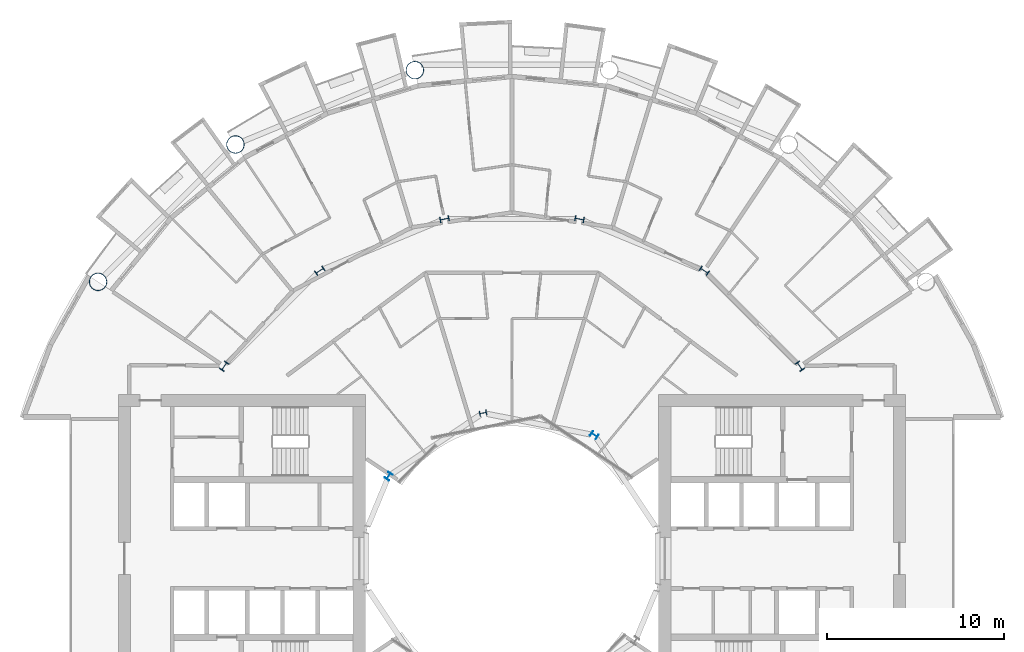
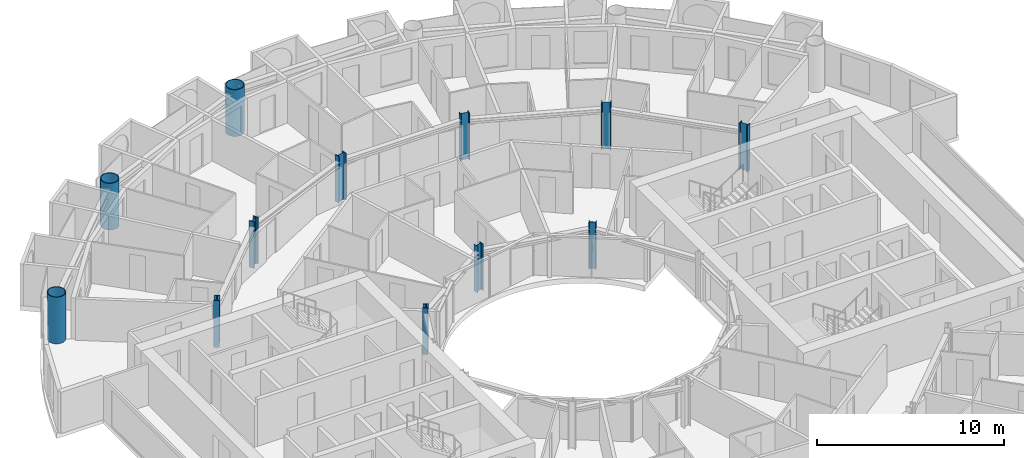
# One storey, part 3 of 26: 12 columns.
"""IFC4 building model written with IfcOpenShell, lengths in metres."""

from ifc_helpers import new_model, si_unit, direction, frame, origin, origin_2d, place, context, subcontext, project, spatial, hollow_circle, i_section, extrude, material, material_profile, profile_set, type_object, element, save


model = new_model("IFC4")

# Units and contexts
model_context = context("Model", 3, precision=1e-05, world=origin(), true_north=direction((0.0, 1.0)))
body_context = subcontext(model_context, "Body", "Model", "MODEL_VIEW")
ifc_project = project(units=[si_unit("LENGTHUNIT", "METRE"), si_unit("AREAUNIT", "SQUARE_METRE"), si_unit("VOLUMEUNIT", "CUBIC_METRE"), si_unit("PLANEANGLEUNIT", "RADIAN"), si_unit("MASSUNIT", "GRAM", prefix="KILO")], contexts=[model_context])

# Site, building, storey
site_placement = place(None, origin())
site = spatial("IfcSite", under=ifc_project, at=site_placement, CompositionType="ELEMENT")
building_placement = place(site_placement, origin())
building = spatial("IfcBuilding", under=site, at=building_placement, Name="Maasbend Ring Residences", CompositionType="ELEMENT")
storey_placement = place(building_placement, frame((0.0, 0.0, 78.85009765625)))
storey = spatial("IfcBuildingStorey", under=building, at=storey_placement, Name="L22", CompositionType="ELEMENT", Elevation=78.85009765625)

# Columns
ifc_material_1 = material(Name="Composite concrete-filled steel tube S460NH / C80/95", Category="concrete")
ifc_material_profile_1 = material_profile(ifc_material_1, hollow_circle(Radius=0.508056640625, WallThickness=0.0400390625, at=origin_2d()), Name="Composite tube column CHS 1016x40")
ifc_profile_set_1 = profile_set([ifc_material_profile_1], Name="Composite concrete-filled steel tube S460NH / C80/95")
column_type_1 = type_object("IfcColumnType", Name="Composite tube column CHS 1016x40", PredefinedType="COLUMN", material=ifc_profile_set_1)
for number, where, z_axis, x_axis, name in (
    (1, (-5.50146484375, 27.658203125, 0.0), (0.0, 0.0, 1.0), (1.0, 0.0, 0.0), "Outer column R5"),
    (2, (-15.6669921875, 23.447509765625, 0.0), (0.0, 0.0, 1.0), (1.0, 0.0, 0.0), "Outer column R6"),
    (3, (-23.447509765625, 15.6669921875, 0.0), (0.0, 0.0, 1.0), (1.0, 0.0, 0.0), "Outer column R7"),
):
    element("IfcColumn", number, at=place(storey_placement, frame(where, z_axis=z_axis, x_axis=x_axis)), inside=storey, type_object=column_type_1, Name=name, PredefinedType="COLUMN", context=body_context, shape_type="SweptSolid", body=[
        extrude(hollow_circle(Radius=0.508056640625, WallThickness=0.0400390625, at=origin_2d()), origin(), (0.0, 0.0, 1.0), 3.0498046875),
    ])
ifc_material_2 = material(Name="Steel S355J2", Category="steel")
ifc_material_profile_2 = material_profile(ifc_material_2, i_section(OverallWidth=0.300048828125, OverallDepth=0.39990234375, WebThickness=0.013427734375, FlangeThickness=0.02392578125, FilletRadius=0.027099609375, at=origin_2d()), Name="HEB 400")
ifc_profile_set_2 = profile_set([ifc_material_profile_2], Name="Steel S355J2")
column_type_2 = type_object("IfcColumnType", Name="Steel column HEB 400", PredefinedType="COLUMN", material=ifc_profile_set_2)
for number, where, z_axis, x_axis, name in (
    (4, (4.666748046875, 6.984375, 0.0), (0.0, 0.0, 1.0), (0.55557023302, 0.831469612303, 0.0), "Well ring column R3"),
    (5, (-1.638916015625, 8.238525390625, 0.0), (0.0, 0.0, 1.0), (-0.195090322016, 0.980785280403, 0.0), "Well ring column R5"),
    (6, (-6.984375, 4.666748046875, 0.0), (0.0, 0.0, 1.0), (-0.831469612303, 0.55557023302, 0.0), "Well ring column R7"),
):
    element("IfcColumn", number, at=place(storey_placement, frame(where, z_axis=z_axis, x_axis=x_axis)), inside=storey, type_object=column_type_2, Name=name, PredefinedType="COLUMN", context=body_context, shape_type="SweptSolid", body=[
        extrude(i_section(OverallWidth=0.300048828125, OverallDepth=0.39990234375, WebThickness=0.013427734375, FlangeThickness=0.02392578125, FilletRadius=0.027099609375, at=origin_2d()), origin(), (0.0, 0.0, 1.0), 3.0498046875),
    ])
ifc_material_3 = material(Name="Steel S460M", Category="steel")
ifc_material_profile_3 = material_profile(ifc_material_3, i_section(OverallWidth=0.305908203125, OverallDepth=0.52392578125, WebThickness=0.02099609375, FlangeThickness=0.0400390625, FilletRadius=0.027099609375, at=origin_2d()), Name="HEM 500")
ifc_profile_set_3 = profile_set([ifc_material_profile_3], Name="Steel S460M")
column_type_3 = type_object("IfcColumnType", Name="Steel column HEM 500", PredefinedType="COLUMN", material=ifc_profile_set_3)
for number, where, z_axis, x_axis, name in (
    (7, (16.296875, 10.88916015625, 0.0), (0.0, 0.0, 1.0), (0.831469612303, 0.55557023302, 0.0), "Corridor ring column R2"),
    (8, (10.88916015625, 16.296875, 0.0), (0.0, 0.0, 1.0), (0.55557023302, 0.831469612303, 0.0), "Corridor ring column R3"),
    (9, (3.82373046875, 19.223388671875, 0.0), (0.0, 0.0, 1.0), (0.195090322016, 0.980785280403, 0.0), "Corridor ring column R4"),
    (10, (-3.82373046875, 19.223388671875, 0.0), (0.0, 0.0, 1.0), (-0.195090322016, 0.980785280403, 0.0), "Corridor ring column R5"),
    (11, (-10.88916015625, 16.296875, 0.0), (0.0, 0.0, 1.0), (-0.55557023302, 0.831469612303, 0.0), "Corridor ring column R6"),
    (12, (-16.296875, 10.88916015625, 0.0), (0.0, 0.0, 1.0), (-0.831469612303, 0.55557023302, 0.0), "Corridor ring column R7"),
):
    element("IfcColumn", number, at=place(storey_placement, frame(where, z_axis=z_axis, x_axis=x_axis)), inside=storey, type_object=column_type_3, Name=name, PredefinedType="COLUMN", context=body_context, shape_type="SweptSolid", body=[
        extrude(i_section(OverallWidth=0.305908203125, OverallDepth=0.52392578125, WebThickness=0.02099609375, FlangeThickness=0.0400390625, FilletRadius=0.027099609375, at=origin_2d()), origin(), (0.0, 0.0, 1.0), 3.0498046875),
    ])

save(model, "model.ifc")
